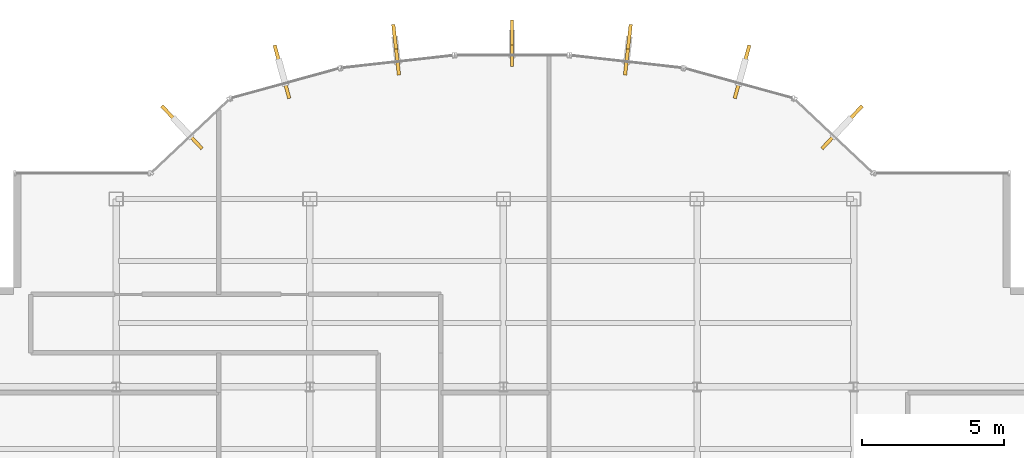
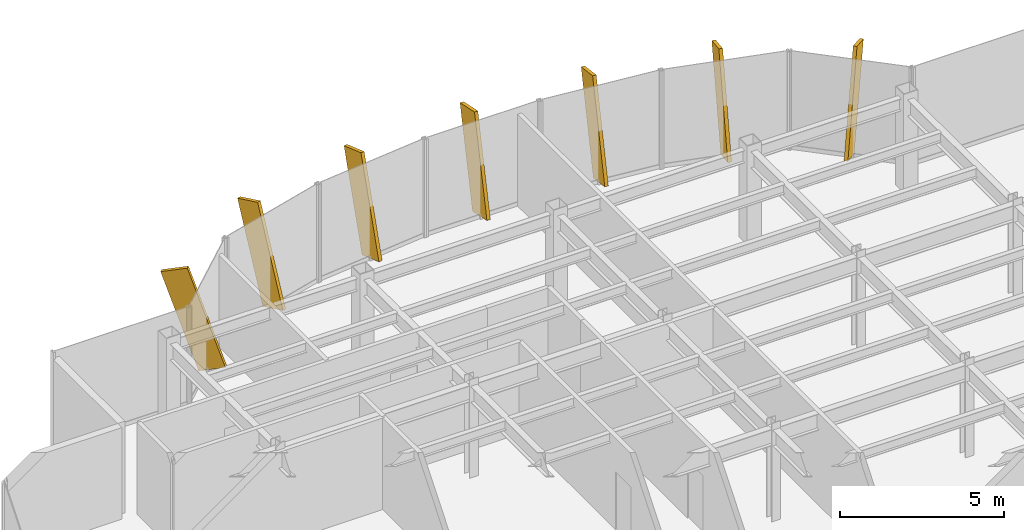
# One storey, part 21 of 22: 7 shading devices.
"""IFC4 building model written with IfcOpenShell, lengths in metres."""

from ifc_helpers import new_model, si_unit, derived_unit, direction, frame, origin, origin_2d, place, context, subcontext, project, spatial, rectangle, extrude, source, transform, mapped, material, type_object, element, save


model = new_model("IFC4")

# Units and contexts
model_context = context("Model", 3, precision=1e-05, world=origin(), true_north=direction((0.0, 1.0)))
body_context = subcontext(model_context, "Body", "Model", "MODEL_VIEW")
ifc_project = project(units=[si_unit("LENGTHUNIT", "METRE"), si_unit("AREAUNIT", "SQUARE_METRE"), si_unit("VOLUMEUNIT", "CUBIC_METRE"), si_unit("PLANEANGLEUNIT", "RADIAN"), si_unit("MASSUNIT", "GRAM", prefix="KILO"), derived_unit("THERMALTRANSMITTANCEUNIT", [(si_unit("POWERUNIT", "WATT"), 1), (si_unit("LENGTHUNIT", "METRE"), -2), (si_unit("THERMODYNAMICTEMPERATUREUNIT", "KELVIN"), -1)])], contexts=[model_context])

# Site, building, storey
site_placement = place(None, origin())
site = spatial("IfcSite", under=ifc_project, at=site_placement, CompositionType="ELEMENT")
building_placement = place(site_placement, origin())
building = spatial("IfcBuilding", under=site, at=building_placement, Name="Skarnbrae Concourse Arena and Tower", CompositionType="ELEMENT")
storey_placement = place(building_placement, frame((0.0, 0.0, 192.25)))
storey = spatial("IfcBuildingStorey", under=building, at=storey_placement, Name="L49", CompositionType="ELEMENT", Elevation=192.25)

# Shading devices
ifc_material = material(Name="Bronze anodised aluminium 6063-T6", Category="aluminium")
shading_device_type = type_object("IfcShadingDeviceType", Name="SHD-BRONZE-FIN-900", PredefinedType="USERDEFINED", material=ifc_material)
shared_shape = source(origin(), body_context, "Body", "SweptSolid", [
    extrude(rectangle(XDim=0.1201171875, YDim=0.89990234375, at=origin_2d()), origin(), (0.0, 0.0, 1.0), 3.64990234375),
])
for number, where, z_axis, x_axis, name in (
    (1, (32.677978515625, 36.478759765625, 0.103271484375), (0.227224184045, 0.241377537722, 0.943454320287), (0.728131751529, -0.685437198009, 0.0), "L49 Outward-leaning bronze shading fin 08"),
    (2, (29.43603515625, 38.3466796875, 0.08154296875), (0.07852258794, 0.284919065414, 0.955329958363), (0.964058316208, -0.265690728011, 0.0), "L49 Outward-leaning bronze shading fin 09"),
    (3, (25.51708984375, 39.181640625, 0.05908203125), (0.028131176169, 0.250834606441, 0.967621122723), (0.993769864509, -0.111451587667, 0.0), "L49 Outward-leaning bronze shading fin 10"),
    (4, (21.5, 39.4873046875, 0.039794921875), (0.0, 0.207911690818, 0.978147600734), (1.0, 0.0, 0.0), "L49 Outward-leaning bronze shading fin 11"),
    (5, (17.48291015625, 39.181640625, 0.05908203125), (-0.028131176169, 0.250834606441, 0.967621122723), (0.993769864509, 0.111451587667, 0.0), "L49 Outward-leaning bronze shading fin 12"),
    (6, (13.56396484375, 38.3466796875, 0.08154296875), (-0.07852258794, 0.284919065414, 0.955329958363), (0.964058316208, 0.265690728011, 0.0), "L49 Outward-leaning bronze shading fin 13"),
    (7, (10.322021484375, 36.478759765625, 0.103271484375), (-0.227224184045, 0.241377537722, 0.943454320287), (0.728131751529, 0.685437198009, 0.0), "L49 Outward-leaning bronze shading fin 14"),
):
    element("IfcShadingDevice", number, at=place(storey_placement, frame(where, z_axis=z_axis, x_axis=x_axis)), inside=storey, type_object=shading_device_type, Name=name, ObjectType="FIN", PredefinedType="USERDEFINED", context=body_context, shape_type="MappedRepresentation", body=[
        mapped(shared_shape, transform((0.0, 0.0, 0.0))),
    ])

save(model, "model.ifc")
